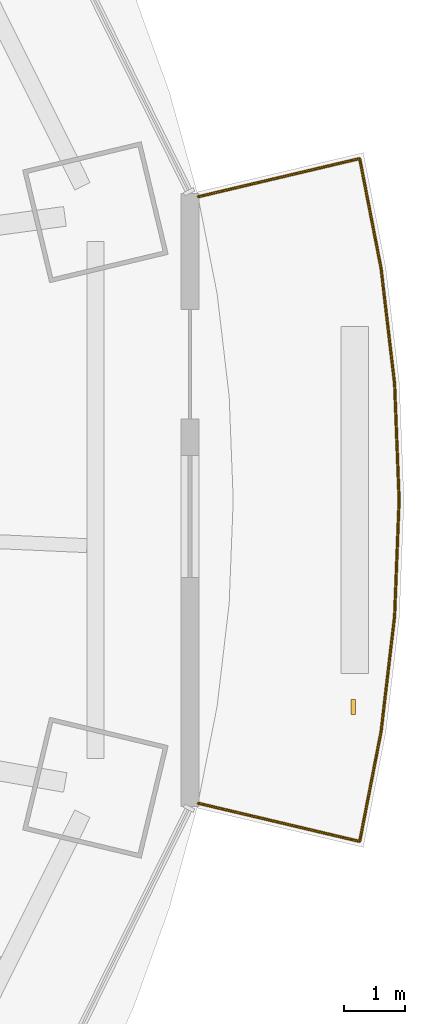
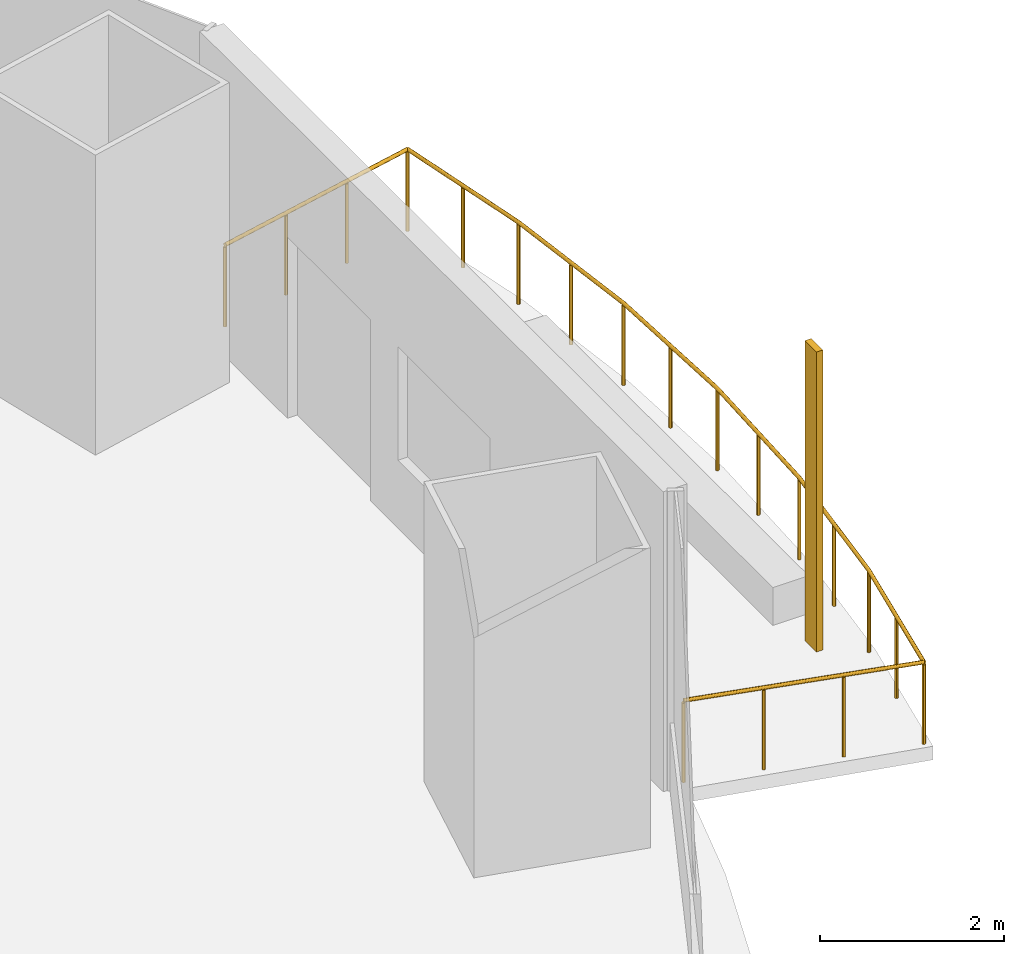
# One storey, part 18 of 19: 1 railing, 1 shading device.
"""IFC4 building model written with IfcOpenShell, lengths in metres."""

from ifc_helpers import new_model, si_unit, direction, frame, origin, origin_2d, place, context, subcontext, project, spatial, rectangle, circle, extrude, material, material_profile, profile_set, type_object, element, save


model = new_model("IFC4")

# Units and contexts
model_context = context("Model", 3, precision=1e-05, world=origin(), true_north=direction((0.0, 1.0)))
body_context = subcontext(model_context, "Body", "Model", "MODEL_VIEW")
ifc_project = project(units=[si_unit("LENGTHUNIT", "METRE"), si_unit("AREAUNIT", "SQUARE_METRE"), si_unit("VOLUMEUNIT", "CUBIC_METRE"), si_unit("PLANEANGLEUNIT", "RADIAN"), si_unit("MASSUNIT", "GRAM", prefix="KILO")], contexts=[model_context])

# Site, building, storey
site_placement = place(None, origin())
site = spatial("IfcSite", under=ifc_project, at=site_placement, CompositionType="ELEMENT")
building_placement = place(site_placement, origin())
building = spatial("IfcBuilding", under=site, at=building_placement, Name="Marenthal Gate Tower", CompositionType="ELEMENT")
storey_placement = place(building_placement, frame((0.0, 0.0, 227.449951171875)))
storey = spatial("IfcBuildingStorey", under=building, at=storey_placement, Name="L50", CompositionType="ELEMENT", Elevation=227.449951171875)

# Railing
ifc_material_1 = material(Name="Stainless steel", Category="steel")
railing_type = type_object("IfcRailingType", Name="Balcony guard 1100", PredefinedType="GUARDRAIL", material=ifc_material_1)
railing_placement = place(storey_placement, frame((32.034423828125, 4.3720703125, 0.0)))
element("IfcRailing", 1, at=railing_placement, inside=storey, type_object=railing_type, Name="Balcony guard L50 bay 16", PredefinedType="GUARDRAIL", context=body_context, shape_type="SweptSolid", body=[
    extrude(circle(Radius=0.02392578125, at=origin_2d()), frame((0.0, 0.0, 1.076171875), z_axis=(0.973052153091, 0.230114897669, -0.014718737604), x_axis=(-0.230139827907, 0.97315757183, 0.0)), (0.0, 0.0, 1.0), 2.72021484375),
    extrude(circle(Radius=0.02392578125, at=origin_2d()), frame((2.64697265625, 0.6259765625, 1.0361328125), z_axis=(0.191194170829, -0.981552234494, 0.0), x_axis=(0.981552234494, 0.191194170829, 0.0)), (0.0, 0.0, 1.0), 1.832275390625),
    extrude(circle(Radius=0.02392578125, at=origin_2d()), frame((2.997314453125, -1.172607421875, 1.0361328125), z_axis=(0.116314112708, -0.993212478368, 0.0), x_axis=(0.993212478368, 0.116314112708, 0.0)), (0.0, 0.0, 1.0), 1.907958984375),
    extrude(circle(Radius=0.02392578125, at=origin_2d()), frame((3.21923828125, -3.067626953125, 1.0361328125), z_axis=(0.038939806905, -0.999241558102, 0.0), x_axis=(0.999241558102, 0.038939806905, 0.0)), (0.0, 0.0, 1.0), 1.906005859375),
    extrude(circle(Radius=0.02392578125, at=origin_2d()), frame((3.29345703125, -4.97216796875, 1.0361328125), z_axis=(-0.038944791616, -0.999241363839, 0.0), x_axis=(0.999241363839, -0.038944791616, 0.0)), (0.0, 0.0, 1.0), 1.90576171875),
    extrude(circle(Radius=0.02392578125, at=origin_2d()), frame((3.21923828125, -6.87646484375, 1.0361328125), z_axis=(-0.116314112708, -0.993212478368, 0.0), x_axis=(0.993212478368, -0.116314112708, 0.0)), (0.0, 0.0, 1.0), 1.907958984375),
    extrude(circle(Radius=0.02392578125, at=origin_2d()), frame((2.997314453125, -8.771484375, 1.0361328125), z_axis=(-0.191194170829, -0.981552234494, 0.0), x_axis=(0.981552234494, -0.191194170829, 0.0)), (0.0, 0.0, 1.0), 1.832275390625),
    extrude(circle(Radius=0.02392578125, at=origin_2d()), frame((2.64697265625, -10.570068359375, 1.0361328125), z_axis=(-0.973052153091, 0.230114897669, 0.014718737604), x_axis=(-0.230139827907, -0.97315757183, 0.0)), (0.0, 0.0, 1.0), 2.72021484375),
    extrude(circle(Radius=0.02099609375, at=origin_2d()), origin(), (0.0, 0.0, 1.0), 1.052001953125),
    extrude(circle(Radius=0.02099609375, at=origin_2d()), frame((0.88232421875, 0.208740234375, -0.013427734375)), (0.0, 0.0, 1.0), 1.052001953125),
    extrude(circle(Radius=0.02099609375, at=origin_2d()), frame((1.7646484375, 0.417236328125, -0.026611328125)), (0.0, 0.0, 1.0), 1.052001953125),
    extrude(circle(Radius=0.02099609375, at=origin_2d()), frame((2.64697265625, 0.6259765625, -0.0400390625)), (0.0, 0.0, 1.0), 1.052001953125),
    extrude(circle(Radius=0.02099609375, at=origin_2d()), frame((2.822265625, -0.2734375, -0.0400390625)), (0.0, 0.0, 1.0), 1.052001953125),
    extrude(circle(Radius=0.02099609375, at=origin_2d()), frame((2.997314453125, -1.172607421875, -0.0400390625)), (0.0, 0.0, 1.0), 1.052001953125),
    extrude(circle(Radius=0.02099609375, at=origin_2d()), frame((3.1083984375, -2.1201171875, -0.0400390625)), (0.0, 0.0, 1.0), 1.052001953125),
    extrude(circle(Radius=0.02099609375, at=origin_2d()), frame((3.21923828125, -3.067626953125, -0.0400390625)), (0.0, 0.0, 1.0), 1.052001953125),
    extrude(circle(Radius=0.02099609375, at=origin_2d()), frame((3.25634765625, -4.02001953125, -0.0400390625)), (0.0, 0.0, 1.0), 1.052001953125),
    extrude(circle(Radius=0.02099609375, at=origin_2d()), frame((3.29345703125, -4.97216796875, -0.0400390625)), (0.0, 0.0, 1.0), 1.052001953125),
    extrude(circle(Radius=0.02099609375, at=origin_2d()), frame((3.25634765625, -5.92431640625, -0.0400390625)), (0.0, 0.0, 1.0), 1.052001953125),
    extrude(circle(Radius=0.02099609375, at=origin_2d()), frame((3.21923828125, -6.87646484375, -0.0400390625)), (0.0, 0.0, 1.0), 1.052001953125),
    extrude(circle(Radius=0.02099609375, at=origin_2d()), frame((3.1083984375, -7.823974609375, -0.0400390625)), (0.0, 0.0, 1.0), 1.052001953125),
    extrude(circle(Radius=0.02099609375, at=origin_2d()), frame((2.997314453125, -8.771484375, -0.0400390625)), (0.0, 0.0, 1.0), 1.052001953125),
    extrude(circle(Radius=0.02099609375, at=origin_2d()), frame((2.822265625, -9.6708984375, -0.0400390625)), (0.0, 0.0, 1.0), 1.052001953125),
    extrude(circle(Radius=0.02099609375, at=origin_2d()), frame((2.64697265625, -10.570068359375, -0.0400390625)), (0.0, 0.0, 1.0), 1.052001953125),
    extrude(circle(Radius=0.02099609375, at=origin_2d()), frame((1.7646484375, -10.361328125, -0.026611328125)), (0.0, 0.0, 1.0), 1.052001953125),
    extrude(circle(Radius=0.02099609375, at=origin_2d()), frame((0.88232421875, -10.15283203125, -0.013427734375)), (0.0, 0.0, 1.0), 1.052001953125),
    extrude(circle(Radius=0.02099609375, at=origin_2d()), frame((0.0, -9.944091796875, 0.0)), (0.0, 0.0, 1.0), 1.052001953125),
])

# Shading device
ifc_material_2 = material(Name="Terracotta", Category="masonry")
ifc_material_profile = material_profile(ifc_material_2, rectangle(XDim=0.25, YDim=0.080078125, at=origin_2d()), Name="Terracotta baguette 250x80")
ifc_profile_set = profile_set([ifc_material_profile], Name="Terracotta")
shading_device_type = type_object("IfcShadingDeviceType", Name="Terracotta BAGUETTE SCREEN 250x80", PredefinedType="USERDEFINED", material=ifc_profile_set)
shading_device_placement = place(storey_placement, frame((34.574951171875, -3.994873046875, -0.0400390625), z_axis=(0.0, 0.0, 1.0), x_axis=(0.0, 1.0, 0.0)))
element("IfcShadingDevice", 2, at=shading_device_placement, inside=storey, type_object=shading_device_type, Name="Terracotta BAGUETTE L50 bay 16L", ObjectType="BAGUETTE SCREEN", PredefinedType="USERDEFINED", context=body_context, shape_type="SweptSolid", body=[
    extrude(rectangle(XDim=0.25, YDim=0.080078125, at=origin_2d()), origin(), (0.0, 0.0, 1.0), 3.969970703125),
])

save(model, "model.ifc")
